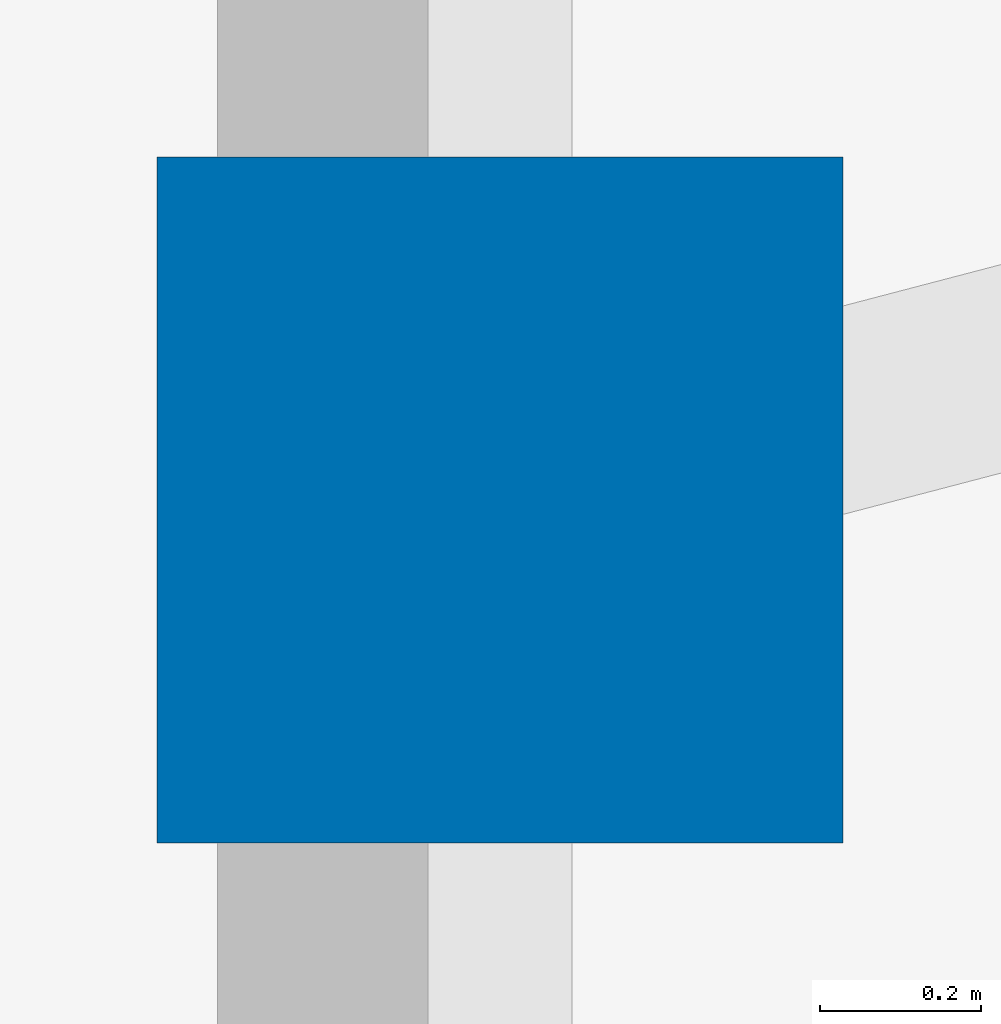
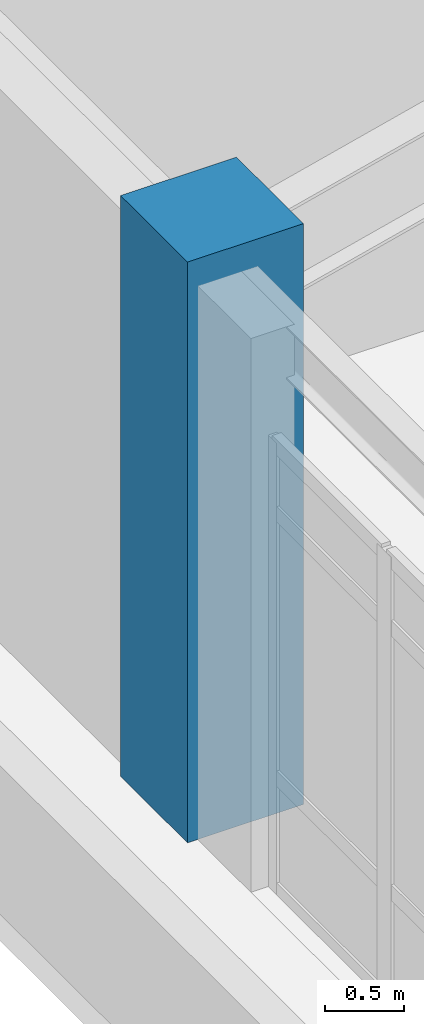
# One storey, part 2 of 18: 1 column.
"""IFC4 building model written with IfcOpenShell, lengths in metres."""

from ifc_helpers import new_model, si_unit, direction, frame, origin, origin_2d, place, context, subcontext, project, spatial, rectangle, extrude, material, material_profile, profile_set, type_object, element, save


model = new_model("IFC4")

# Units and contexts
model_context = context("Model", 3, precision=1e-05, world=origin(), true_north=direction((0.0, 1.0)))
body_context = subcontext(model_context, "Body", "Model", "MODEL_VIEW")
ifc_project = project(units=[si_unit("LENGTHUNIT", "METRE"), si_unit("AREAUNIT", "SQUARE_METRE"), si_unit("VOLUMEUNIT", "CUBIC_METRE"), si_unit("PLANEANGLEUNIT", "RADIAN"), si_unit("MASSUNIT", "GRAM", prefix="KILO")], contexts=[model_context])

# Site, building, storey
site_placement = place(None, origin())
site = spatial("IfcSite", under=ifc_project, at=site_placement, CompositionType="ELEMENT")
building_placement = place(site_placement, origin())
building = spatial("IfcBuilding", under=site, at=building_placement, Name="Cairnveth Concourse Tower", CompositionType="ELEMENT")
storey_placement = place(building_placement, frame((0.0, 0.0, 198.0)))
storey = spatial("IfcBuildingStorey", under=building, at=storey_placement, Name="L54", CompositionType="ELEMENT", Elevation=198.0)

# Column
ifc_material = material(Name="Concrete N65 (65 MPa)", Category="concrete")
ifc_material_profile = material_profile(ifc_material, rectangle(XDim=0.85009765625, YDim=0.85009765625, at=origin_2d()), Name="RC-COL-850x850")
ifc_profile_set = profile_set([ifc_material_profile], Name="Concrete N65 (65 MPa)")
column_type = type_object("IfcColumnType", Name="PERIMETER PIER COLUMN 850X850", PredefinedType="COLUMN", material=ifc_profile_set)
column_placement = place(storey_placement, frame((29.85009765625, 43.800048828125, 0.0), z_axis=(0.0, 0.0, 1.0), x_axis=(0.0, 1.0, 0.0)))
element("IfcColumn", 1, at=column_placement, inside=storey, type_object=column_type, Name="Column P-W2 L54", PredefinedType="COLUMN", context=body_context, shape_type="SweptSolid", body=[
    extrude(rectangle(XDim=0.85009765625, YDim=0.85009765625, at=origin_2d()), origin(), (0.0, 0.0, 1.0), 4.5),
])

save(model, "model.ifc")
